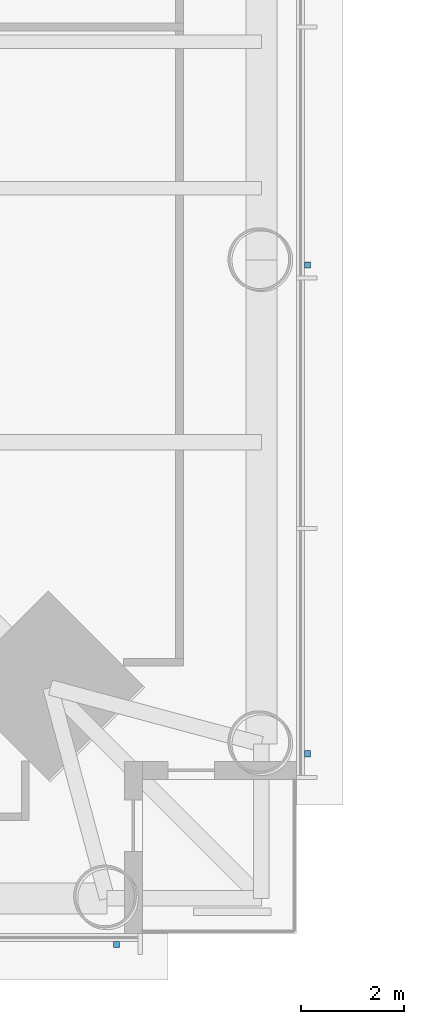
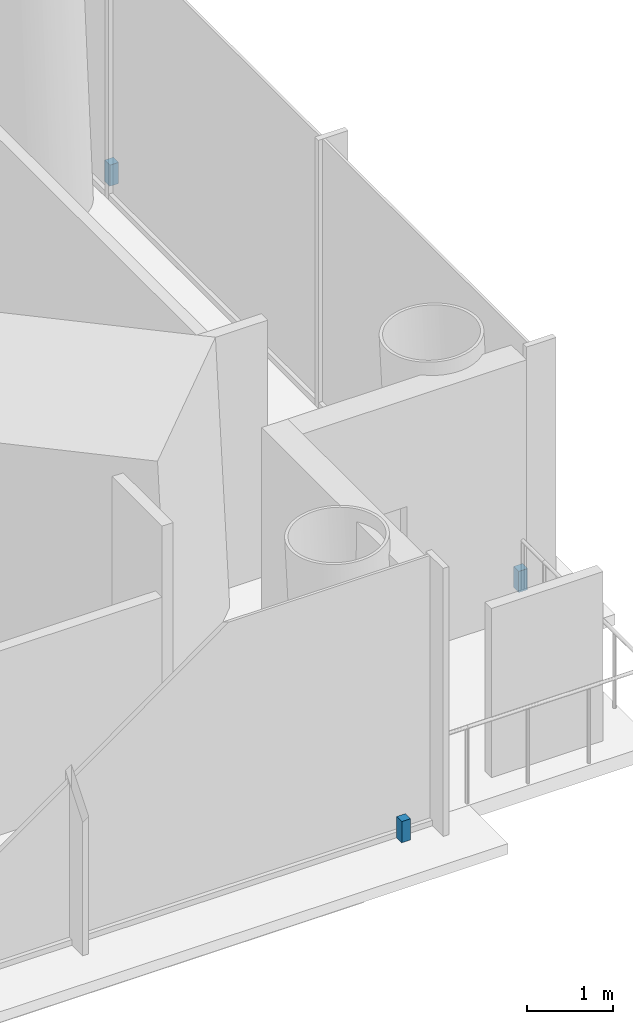
# One storey, part 19 of 27: 3 discrete accessories.
"""IFC4 building model written with IfcOpenShell, lengths in metres."""

from ifc_helpers import new_model, si_unit, direction, frame, origin, origin_2d, place, context, subcontext, project, spatial, rectangle, extrude, material, type_object, element, save


model = new_model("IFC4")

# Units and contexts
model_context = context("Model", 3, precision=1e-05, world=origin(), true_north=direction((0.0, 1.0)))
body_context = subcontext(model_context, "Body", "Model", "MODEL_VIEW")
ifc_project = project(units=[si_unit("LENGTHUNIT", "METRE"), si_unit("AREAUNIT", "SQUARE_METRE"), si_unit("VOLUMEUNIT", "CUBIC_METRE"), si_unit("PLANEANGLEUNIT", "RADIAN"), si_unit("MASSUNIT", "GRAM", prefix="KILO")], contexts=[model_context])

# Site, building, storey
site_placement = place(None, origin())
site = spatial("IfcSite", under=ifc_project, at=site_placement, CompositionType="ELEMENT")
building_placement = place(site_placement, origin())
building = spatial("IfcBuilding", under=site, at=building_placement, Name="Ostroluk Exchange", CompositionType="ELEMENT")
storey_placement = place(building_placement, frame((0.0, 0.0, 89.39990234375)))
storey = spatial("IfcBuildingStorey", under=building, at=storey_placement, Name="L22", CompositionType="ELEMENT", Elevation=89.39990234375)

# Discrete accessories
ifc_material = material(Name="Stainless steel", Category="steel")
discrete_accessory_type = type_object("IfcDiscreteAccessoryType", Name="Fall-arrest anchor PN-EN 795 type C", PredefinedType="USERDEFINED", material=ifc_material)
for number, where, z_axis, x_axis, name in (
    (1, (64.0, 23.2900390625, 0.0), (0.0, 0.0, 1.0), (1.0, 0.0, 0.0), "Fall-arrest anchor L22 south 5"),
    (2, (67.7099609375, 27.0, 0.0), (0.0, 0.0, 1.0), (1.0, 0.0, 0.0), "Fall-arrest anchor L22 east 1"),
    (3, (67.7099609375, 36.5, 0.0), (0.0, 0.0, 1.0), (1.0, 0.0, 0.0), "Fall-arrest anchor L22 east 2"),
):
    element("IfcDiscreteAccessory", number, at=place(storey_placement, frame(where, z_axis=z_axis, x_axis=x_axis)), inside=storey, type_object=discrete_accessory_type, Name=name, ObjectType="FALL ARREST ANCHOR", PredefinedType="USERDEFINED", context=body_context, shape_type="SweptSolid", body=[
        extrude(rectangle(XDim=0.1201171875, YDim=0.1201171875, at=origin_2d()), origin(), (0.0, 0.0, 1.0), 0.300048828125),
    ])

save(model, "model.ifc")
